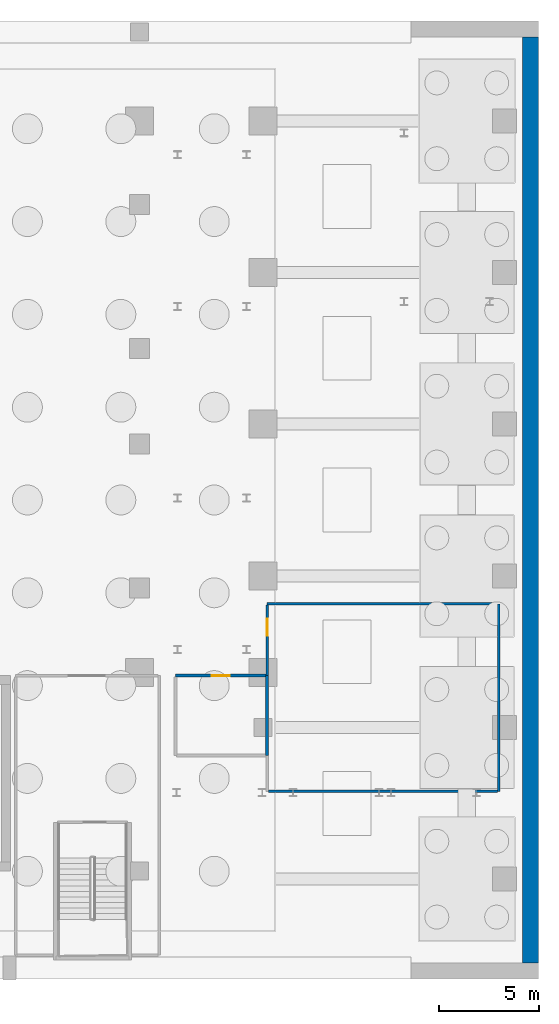
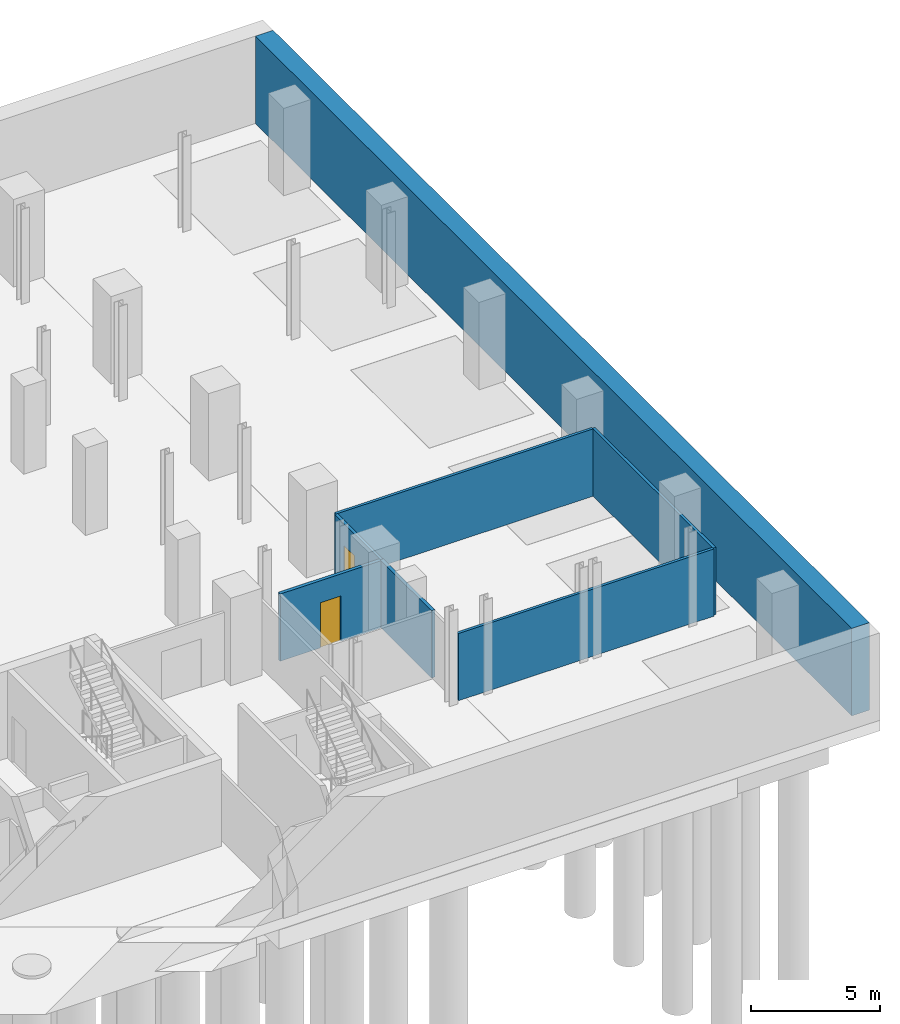
# One storey, part 12 of 18: 7 walls, 2 doors, 2 openings.
"""IFC4 building model written with IfcOpenShell, lengths in metres."""

import ifcopenshell
import ifcopenshell.guid

model = None  # the IFC model being written
_history = None  # IfcOwnerHistory: only IFC2X3 demands one
_inside = {}  # id of a spatial element -> (the spatial element, [elements in it])
_under = {}  # id of a project, library or spatial element -> (it, [spatial elements below it])
_declared = {}  # id of a project -> (the project, [libraries it declares])
_typed = {}  # id of a type object -> (the type object, [elements of that type])
_made_of = {}  # id of a material, layer set ... -> (it, [elements and type objects made of it])


def new_model(schema):
    """Start an empty IFC model of exactly this schema.

    Asked for "IFC4X3", IfcOpenShell would pick the latest addendum, in which some entities
    have other attributes; the version numbers below select the first issue.
    IFC2X3 requires an IfcOwnerHistory on every rooted entity: one is made here for all.
    """
    global model, _history
    if schema == "IFC4X3":
        model = ifcopenshell.file(schema_version=(4, 3, 0, 0))
    else:
        model = ifcopenshell.file(schema=schema)
    _inside.clear()
    _under.clear()
    _declared.clear()
    _typed.clear()
    _made_of.clear()
    _history = None
    if model.schema == "IFC2X3":
        org = make("IfcOrganization", Name="unknown")
        user = make(
            "IfcPersonAndOrganization",
            ThePerson=make("IfcPerson", FamilyName="unknown"),
            TheOrganization=org,
        )
        app = make(
            "IfcApplication",
            ApplicationDeveloper=org,
            Version="unknown",
            ApplicationFullName="unknown",
            ApplicationIdentifier="unknown",
        )
        _history = make(
            "IfcOwnerHistory",
            OwningUser=user,
            OwningApplication=app,
            ChangeAction="ADDED",
            CreationDate=0,
        )
    return model


def make(cls, **values):
    """One entity of the class cls with the attributes given. An attribute that is None is left unset."""
    return model.create_entity(
        cls, **{name: value for name, value in values.items() if value is not None}
    )


def rooted(cls, **values):
    """An entity with a GlobalId (a new one), such as an element, a storey or a relation."""
    return make(cls, GlobalId=ifcopenshell.guid.new(), OwnerHistory=_history, **values)


def si_unit(unit_type, name, prefix=None):
    """IfcSIUnit, for example si_unit("LENGTHUNIT", "METRE", prefix="MILLI")."""
    return make("IfcSIUnit", UnitType=unit_type, Prefix=prefix, Name=name)


def assignment(units):
    """IfcUnitAssignment: the units of a project."""
    return None if units is None else make("IfcUnitAssignment", Units=units)


def point(xyz):
    """IfcCartesianPoint."""
    return None if xyz is None else make("IfcCartesianPoint", Coordinates=xyz)


def direction(xyz):
    """IfcDirection."""
    return None if xyz is None else make("IfcDirection", DirectionRatios=xyz)


def frame(location, z_axis=None, x_axis=None):
    """IfcAxis2Placement3D, a coordinate frame: its origin and axes. An axis left out is left unset."""
    return make(
        "IfcAxis2Placement3D",
        Location=point(location),
        Axis=direction(z_axis),
        RefDirection=direction(x_axis),
    )


def frame_2d(location, x_axis=None):
    """IfcAxis2Placement2D, a coordinate frame in the plane: its origin and x axis."""
    return make(
        "IfcAxis2Placement2D", Location=point(location), RefDirection=direction(x_axis)
    )


def origin():
    """The frame at (0, 0, 0) with its axes left unset."""
    return frame((0.0, 0.0, 0.0))


def place(relative_to, where):
    """IfcLocalPlacement: puts the frame where relative to a parent placement (None: the world)."""
    return make(
        "IfcLocalPlacement", PlacementRelTo=relative_to, RelativePlacement=where
    )


def context(
    kind, dimensions, precision=None, world=None, true_north=None, identifier=None
):
    """IfcGeometricRepresentationContext, for example the 3D "Model" context."""
    return make(
        "IfcGeometricRepresentationContext",
        ContextIdentifier=identifier,
        ContextType=kind,
        CoordinateSpaceDimension=dimensions,
        Precision=precision,
        WorldCoordinateSystem=world,
        TrueNorth=true_north,
    )


def subcontext(parent, identifier, kind, view, scale=None):
    """IfcGeometricRepresentationSubContext, for example "Body" below "Model"."""
    return make(
        "IfcGeometricRepresentationSubContext",
        ContextIdentifier=identifier,
        ContextType=kind,
        ParentContext=parent,
        TargetScale=scale,
        TargetView=view,
    )


def project(units=None, contexts=None):
    """IfcProject with its units and contexts."""
    return rooted(
        "IfcProject",
        Name="project",
        RepresentationContexts=contexts,
        UnitsInContext=assignment(units),
    )


def spatial(cls, under=None, at=None, **own):
    """A site, building, storey or space (cls), placed at a placement, below another one or the project."""
    s = rooted(cls, ObjectPlacement=at, **own)
    if under is not None:
        _under.setdefault(under.id(), (under, []))[1].append(s)
    return s


def profile(cls, at=None, kind="AREA", **sizes):
    """A parametric profile (cls). Its sizes go by their IFC names, for example OverallWidth=200.0."""
    return make(cls, ProfileType=kind, Position=at, **sizes)


def rectangle(**sizes):
    """IfcRectangleProfileDef."""
    return profile("IfcRectangleProfileDef", **sizes)


def extrude(swept, where, along, depth):
    """IfcExtrudedAreaSolid: the profile swept, set in the frame where, extruded along a direction by depth."""
    return make(
        "IfcExtrudedAreaSolid",
        SweptArea=swept,
        Position=where,
        ExtrudedDirection=direction(along),
        Depth=depth,
    )


def shape(context_of_items, identifier, shape_type, items):
    """IfcShapeRepresentation: the items that make up one representation, for example the "Body"."""
    return make(
        "IfcShapeRepresentation",
        ContextOfItems=context_of_items,
        RepresentationIdentifier=identifier,
        RepresentationType=shape_type,
        Items=items,
    )


def material(Name=None, Category=None):
    """IfcMaterial."""
    return make("IfcMaterial", Name=Name, Category=Category)


def layer(
    of_material, thickness, ventilated=None, Name=None, Category=None, Priority=None
):
    """IfcMaterialLayer: one layer of a wall or slab, of a material (None: an air gap)."""
    return make(
        "IfcMaterialLayer",
        Material=of_material,
        LayerThickness=thickness,
        IsVentilated=ventilated,
        Name=Name,
        Category=Category,
        Priority=Priority,
    )


def layer_set(layers, Name=None):
    """IfcMaterialLayerSet."""
    return make("IfcMaterialLayerSet", MaterialLayers=layers, LayerSetName=Name)


def made_of(thing, what):
    """Note that an element or type object is made of a material, layer set ...; save() writes the relation."""
    if what is not None:
        _made_of.setdefault(what.id(), (what, []))[1].append(thing)
    return thing


def type_object(cls, material=None, **own):
    """A type object (cls), such as IfcWallType, which elements share."""
    return made_of(rooted(cls, **own), material)


def element(
    cls,
    number,
    at=None,
    inside=None,
    cuts=None,
    type_object=None,
    material=None,
    context=None,
    identifier="Body",
    shape_type=None,
    held_by="IfcProductDefinitionShape",
    body=None,
    shapes=None,
    **own,
):
    """One element of the class cls, such as IfcWall. Its Tag is "e" and its number.

    at: its placement. inside: the storey or other place that contains it. cuts: it is an
    opening in that element (IfcRelVoidsElement). A single representation is given by context,
    identifier, shape_type and body (its items); several are given by shapes. held_by: the class
    of the entity that holds the representations. save() writes the other relations.
    """
    e = rooted(cls, Tag="e%d" % number, ObjectPlacement=at, **own)
    if body is not None:
        shapes = [shape(context, identifier, shape_type, body)]
    if shapes is not None:
        e.Representation = make(held_by, Representations=shapes)
    if inside is not None:
        _inside.setdefault(inside.id(), (inside, []))[1].append(e)
    if cuts is not None:
        rooted(
            "IfcRelVoidsElement", RelatingBuildingElement=cuts, RelatedOpeningElement=e
        )
    if type_object is not None:
        _typed.setdefault(type_object.id(), (type_object, []))[1].append(e)
    return made_of(e, material)


def fill(opening, filler):
    """IfcRelFillsElement: the door or window that sits in an opening."""
    return rooted(
        "IfcRelFillsElement",
        RelatingOpeningElement=opening,
        RelatedBuildingElement=filler,
    )


def aggregate(whole, parts):
    """IfcRelAggregates: a whole, such as a stair, and the parts it consists of."""
    return rooted("IfcRelAggregates", RelatingObject=whole, RelatedObjects=parts)


def save(model, path):
    """Write the relations noted so far, then the file.

    IfcRelAggregates (storeys below a building ...), IfcRelContainedInSpatialStructure (elements
    in a storey), IfcRelDefinesByType, IfcRelAssociatesMaterial and IfcRelDeclares: one each for
    every whole, place, type object, material and project.
    """
    for whole, parts in _under.values():
        aggregate(whole, parts)
    for where, things in _inside.values():
        rooted(
            "IfcRelContainedInSpatialStructure",
            RelatedElements=things,
            RelatingStructure=where,
        )
    for kind, things in _typed.values():
        rooted("IfcRelDefinesByType", RelatedObjects=things, RelatingType=kind)
    for what, things in _made_of.values():
        rooted("IfcRelAssociatesMaterial", RelatedObjects=things, RelatingMaterial=what)
    for by, libraries in _declared.values():
        rooted("IfcRelDeclares", RelatingContext=by, RelatedDefinitions=libraries)
    model.write(path)


model = new_model("IFC4")

# Units and contexts
model_context = context("Model", 3, precision=1e-05, world=origin(), true_north=direction((0.0, 1.0)))
body_context = subcontext(model_context, "Body", "Model", "MODEL_VIEW")
ifc_project = project(units=[si_unit("LENGTHUNIT", "METRE"), si_unit("AREAUNIT", "SQUARE_METRE"), si_unit("VOLUMEUNIT", "CUBIC_METRE"), si_unit("PLANEANGLEUNIT", "RADIAN"), si_unit("MASSUNIT", "GRAM", prefix="KILO")], contexts=[model_context])

# Site, building, storey
site_placement = place(None, origin())
site = spatial("IfcSite", under=ifc_project, at=site_placement, CompositionType="ELEMENT")
building_placement = place(site_placement, origin())
building = spatial("IfcBuilding", under=site, at=building_placement, Name="Ndaravel Arena Tower", CompositionType="ELEMENT")
storey_placement = place(building_placement, frame((0.0, 0.0, -9.0)))
storey = spatial("IfcBuildingStorey", under=building, at=storey_placement, Name="B02", CompositionType="ELEMENT", Elevation=-9.0)

# Walls
ifc_material_1 = material(Name="Concrete C40/50", Category="concrete")
ifc_layer_1 = layer(ifc_material_1, 0.800048828125)
ifc_layer_set_1 = layer_set([ifc_layer_1], Name="Concrete C40/50")
wall_type_1 = type_object("IfcWallType", Name="WALL-DWALL-800", PredefinedType="USERDEFINED", material=ifc_layer_set_1)
wall_1_placement = place(storey_placement, frame((83.60009765625, 0.800048828125, 0.0), z_axis=(0.0, 0.0, 1.0), x_axis=(0.0, 1.0, 0.0)))
element("IfcWall", 1, at=wall_1_placement, inside=storey, type_object=wall_type_1, Name="B02 East Diaphragm Wall", ObjectType="RETAININGWALL", PredefinedType="USERDEFINED", context=body_context, shape_type="SweptSolid", body=[
    extrude(rectangle(XDim=46.39990234375, YDim=0.800048828125, at=frame_2d((23.199951171875, 0.0))), origin(), (0.0, 0.0, 1.0), 4.14990234375),
])
ifc_material_2 = material(Name="Gypsum", Category="gypsum")
ifc_layer_2 = layer(ifc_material_2, 0.125)
ifc_layer_set_2 = layer_set([ifc_layer_2], Name="Gypsum")
wall_type_2 = type_object("IfcWallType", Name="WALL-PART-125", PredefinedType="PARTITIONING", material=ifc_layer_set_2)
wall_2_placement = place(storey_placement, frame((82.0, 9.39990234375, 0.0), z_axis=(0.0, 0.0, 1.0), x_axis=(0.0, 1.0, 0.0)))
element("IfcWall", 2, at=wall_2_placement, inside=storey, type_object=wall_type_2, Name="B02 Interior Partition 019", PredefinedType="PARTITIONING", context=body_context, shape_type="SweptSolid", body=[
    extrude(rectangle(XDim=9.400146484375, YDim=0.125, at=frame_2d((4.7001953125, 0.0))), origin(), (0.0, 0.0, 1.0), 3.193359375),
])
wall_3_placement = place(storey_placement, frame((81.93505859375, 18.800048828125, 0.0), z_axis=(0.0, 0.0, 1.0), x_axis=(-1.0, 0.0, 0.0)))
element("IfcWall", 3, at=wall_3_placement, inside=storey, type_object=wall_type_2, Name="B02 Interior Partition 020", PredefinedType="PARTITIONING", context=body_context, shape_type="SweptSolid", body=[
    extrude(rectangle(XDim=11.53515625, YDim=0.125, at=frame_2d((5.767578125, 0.0))), origin(), (0.0, 0.0, 1.0), 3.193359375),
])
wall_4_placement = place(storey_placement, frame((70.465087890625, 9.39990234375, 0.0), z_axis=(0.0, 0.0, 1.0), x_axis=(1.0, 0.0, 0.0)))
element("IfcWall", 4, at=wall_4_placement, inside=storey, type_object=wall_type_2, Name="B02 Interior Partition 024", PredefinedType="PARTITIONING", context=body_context, shape_type="SweptSolid", body=[
    extrude(rectangle(XDim=11.469970703125, YDim=0.125, at=frame_2d((5.73486328125, 0.0))), origin(), (0.0, 0.0, 1.0), 3.193359375),
])

# Wall, opening, door
ifc_material_3 = material(Name="Masonry", Category="masonry")
ifc_layer_3 = layer(ifc_material_3, 0.14990234375)
ifc_layer_set_3 = layer_set([ifc_layer_3], Name="Masonry")
wall_type_3 = type_object("IfcWallType", Name="WALL-WET-150", PredefinedType="PARTITIONING", material=ifc_layer_set_3)
wall_5_placement = place(storey_placement, frame((70.39990234375, 18.735107421875, 0.0), z_axis=(0.0, 0.0, 1.0), x_axis=(0.0, -1.0, 0.0)))
wall_5 = element("IfcWall", 5, at=wall_5_placement, inside=storey, type_object=wall_type_3, Name="B02 Interior Partition 021", PredefinedType="PARTITIONING", context=body_context, shape_type="SweptSolid", body=[
    extrude(rectangle(XDim=3.53515625, YDim=0.125, at=frame_2d((1.767578125, 0.0))), origin(), (0.0, 0.0, 1.0), 3.193359375),
])
opening_1_placement = place(wall_5_placement, frame((0.6923828125, 0.0, 0.0)))
opening_1 = element("IfcOpeningElement", 6, at=opening_1_placement, cuts=wall_5, Name="Opening ID-03", PredefinedType="OPENING", context=body_context, shape_type="SweptSolid", body=[
    extrude(rectangle(XDim=0.85009765625, YDim=2.14990234375, at=frame_2d((0.425048828125, 1.074951171875))), frame((0.0, 0.0625, 0.0), z_axis=(0.0, -1.0, 0.0), x_axis=(1.0, 0.0, 0.0)), (0.0, 0.0, 1.0), 0.125),
])
ifc_material_4 = material(Name="Timber", Category="wood")
door_type_1 = type_object("IfcDoorType", Name="DT-12-SUB-850", OperationType="SINGLE_SWING_LEFT", PredefinedType="DOOR", material=ifc_material_4)
door_1_placement = place(opening_1_placement, origin())
door_1 = element("IfcDoor", 7, at=door_1_placement, inside=storey, type_object=door_type_1, Name="B02 Standby Diesel Generator Plant Room Door", OperationType="SINGLE_SWING_LEFT", OverallHeight=2.14990234375, OverallWidth=0.85009765625, PredefinedType="DOOR", context=body_context, shape_type="SweptSolid", body=[
    extrude(rectangle(XDim=0.85009765625, YDim=2.14990234375, at=frame_2d((0.425048828125, 1.074951171875))), frame((0.0, 0.02490234375, 0.0), z_axis=(0.0, -1.0, 0.0), x_axis=(1.0, 0.0, 0.0)), (0.0, 0.0, 1.0), 0.050048828125),
])
fill(opening_1, door_1)

# Wall
wall_6_placement = place(storey_placement, frame((70.39990234375, 15.199951171875, 0.0), z_axis=(0.0, 0.0, 1.0), x_axis=(0.0, -1.0, 0.0)))
element("IfcWall", 8, at=wall_6_placement, inside=storey, type_object=wall_type_3, Name="B02 Interior Partition 022", PredefinedType="PARTITIONING", context=body_context, shape_type="SweptSolid", body=[
    extrude(rectangle(XDim=4.0, YDim=0.14990234375, at=frame_2d((2.0, 0.0))), origin(), (0.0, 0.0, 1.0), 3.193359375),
])

# Wall, opening, door
wall_7_placement = place(storey_placement, frame((70.3349609375, 15.199951171875, 0.0), z_axis=(0.0, 0.0, 1.0), x_axis=(-1.0, 0.0, 0.0)))
wall_7 = element("IfcWall", 9, at=wall_7_placement, inside=storey, type_object=wall_type_3, Name="B02 Interior Partition 025", PredefinedType="PARTITIONING", context=body_context, shape_type="SweptSolid", body=[
    extrude(rectangle(XDim=4.534912109375, YDim=0.14990234375, at=frame_2d((2.267578125, 0.0))), origin(), (0.0, 0.0, 1.0), 3.193359375),
])
opening_2_placement = place(wall_7_placement, frame((1.8173828125, 0.0, 0.0)))
opening_2 = element("IfcOpeningElement", 10, at=opening_2_placement, cuts=wall_7, Name="Opening WD-01", PredefinedType="OPENING", context=body_context, shape_type="SweptSolid", body=[
    extrude(rectangle(XDim=0.89990234375, YDim=2.14990234375, at=frame_2d((0.449951171875, 1.074951171875))), frame((0.0, 0.074951171875, 0.0), z_axis=(0.0, -1.0, 0.0), x_axis=(1.0, 0.0, 0.0)), (0.0, 0.0, 1.0), 0.14990234375),
])
ifc_material_5 = material(Name="Timber", Category="wood")
door_type_2 = type_object("IfcDoorType", Name="DT-05-WC-900", OperationType="SINGLE_SWING_LEFT", PredefinedType="DOOR", material=ifc_material_5)
door_2_placement = place(opening_2_placement, origin())
door_2 = element("IfcDoor", 11, at=door_2_placement, inside=storey, type_object=door_type_2, Name="B02 Basement Staff Accessible WC Door", OperationType="SINGLE_SWING_LEFT", OverallHeight=2.14990234375, OverallWidth=0.89990234375, PredefinedType="DOOR", context=body_context, shape_type="SweptSolid", body=[
    extrude(rectangle(XDim=0.89990234375, YDim=2.14990234375, at=frame_2d((0.449951171875, 1.074951171875))), frame((0.0, 0.02490234375, 0.0), z_axis=(0.0, -1.0, 0.0), x_axis=(1.0, 0.0, 0.0)), (0.0, 0.0, 1.0), 0.050048828125),
])
fill(opening_2, door_2)

save(model, "model.ifc")
